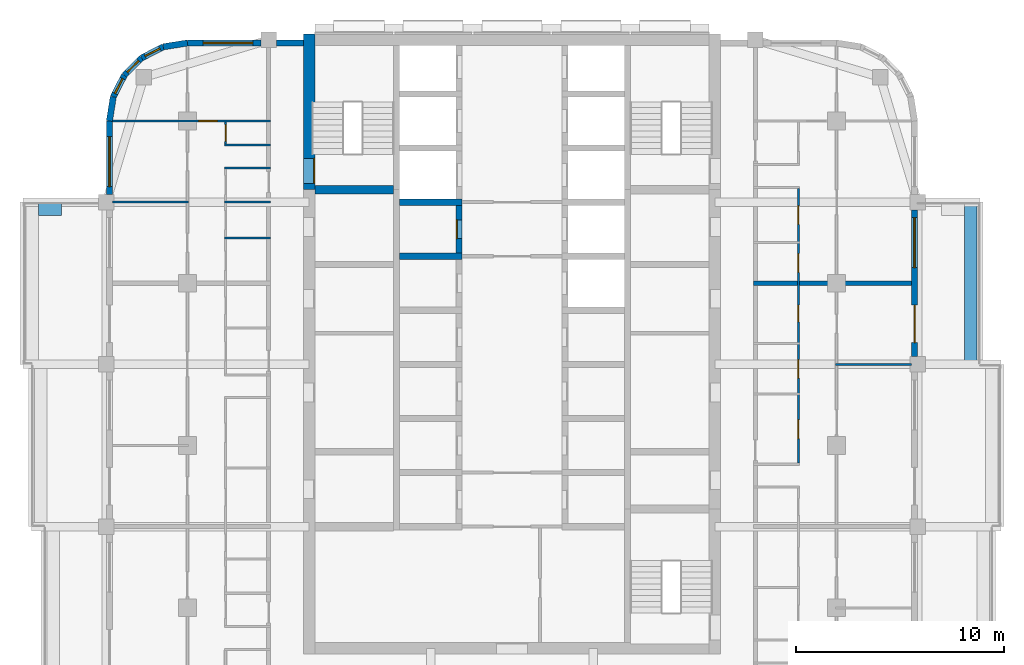
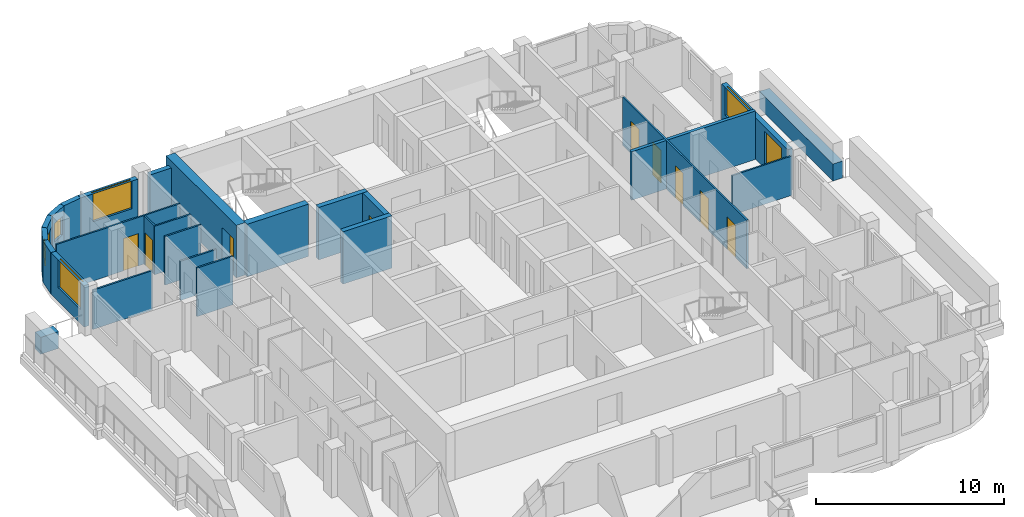
# One storey, part 7 of 13: 26 walls, 10 doors, 6 windows, 16 openings.
"""IFC4 building model written with IfcOpenShell, lengths in metres."""

from ifc_helpers import new_model, si_unit, direction, frame, frame_2d, origin, place, context, subcontext, project, spatial, rectangle, extrude, material, layer, layer_set, type_object, element, fill, save


model = new_model("IFC4")

# Units and contexts
model_context = context("Model", 3, precision=1e-05, world=origin(), true_north=direction((0.0, 1.0)))
body_context = subcontext(model_context, "Body", "Model", "MODEL_VIEW")
ifc_project = project(units=[si_unit("LENGTHUNIT", "METRE"), si_unit("AREAUNIT", "SQUARE_METRE"), si_unit("VOLUMEUNIT", "CUBIC_METRE"), si_unit("PLANEANGLEUNIT", "RADIAN"), si_unit("MASSUNIT", "GRAM", prefix="KILO")], contexts=[model_context])

# Site, building, storey
site_placement = place(None, origin())
site = spatial("IfcSite", under=ifc_project, at=site_placement, CompositionType="ELEMENT")
building_placement = place(site_placement, origin())
building = spatial("IfcBuilding", under=site, at=building_placement, Name="Ludao Terraces", CompositionType="ELEMENT")
storey_placement = place(building_placement, frame((0.0, 0.0, 158.800048828125)))
storey = spatial("IfcBuildingStorey", under=building, at=storey_placement, Name="L43", CompositionType="ELEMENT", Elevation=158.800048828125)

# Wall, opening, door
ifc_material_1 = material(Name="Concrete C60", Category="concrete")
ifc_layer_1 = layer(ifc_material_1, 0.550048828125)
ifc_layer_set_1 = layer_set([ifc_layer_1], Name="Core wall 550 C60")
wall_type_1 = type_object("IfcWallType", Name="Core wall 550 C60", PredefinedType="SOLIDWALL", material=ifc_layer_set_1)
wall_1_placement = place(storey_placement, frame((75.25, 77.300048828125, -0.25), z_axis=(0.0, 0.0, 1.0), x_axis=(0.0, 1.0, 0.0)))
wall_1 = element("IfcWall", 1, at=wall_1_placement, inside=storey, type_object=wall_type_1, Name="Core wall L43 outer-W-S1", PredefinedType="SOLIDWALL", context=body_context, shape_type="SweptSolid", body=[
    extrude(rectangle(XDim=7.474853515625, YDim=0.550048828125, at=frame_2d((3.7373046875, 0.0))), origin(), (0.0, 0.0, 1.0), 3.39990234375),
])
opening_1_placement = place(wall_1_placement, frame((0.300048828125, 0.0, 0.25)))
opening_1 = element("IfcOpeningElement", 2, at=opening_1_placement, cuts=wall_1, Name="Opening R15-075", PredefinedType="OPENING", context=body_context, shape_type="SweptSolid", body=[
    extrude(rectangle(XDim=1.199951171875, YDim=2.10009765625, at=frame_2d((0.60009765625, 1.050048828125))), frame((0.0, 0.28515625, 0.0), z_axis=(0.0, -1.0, 0.0), x_axis=(1.0, 0.0, 0.0)), (0.0, 0.0, 1.0), 0.570068359375),
])
ifc_material_2 = material(Name="Steel Q235", Category="steel")
door_type_1 = type_object("IfcDoorType", Name="INT Stair door 1200", OperationType="DOUBLE_DOOR_SINGLE_SWING", PredefinedType="DOOR", material=ifc_material_2)
door_1_placement = place(opening_1_placement, origin())
door_1 = element("IfcDoor", 3, at=door_1_placement, inside=storey, type_object=door_type_1, Name="DOOR 075", OperationType="DOUBLE_DOOR_SINGLE_SWING", OverallHeight=2.10009765625, OverallWidth=1.199951171875, PredefinedType="DOOR", context=body_context, shape_type="SweptSolid", body=[
    extrude(rectangle(XDim=1.199951171875, YDim=2.10009765625, at=frame_2d((0.60009765625, 1.050048828125))), frame((0.0, -0.2099609375, 0.0), z_axis=(0.0, -1.0, 0.0), x_axis=(1.0, 0.0, 0.0)), (0.0, 0.0, 1.0), 0.050048828125),
])
fill(opening_1, door_1)

# Walls
ifc_material_3 = material(Name="Concrete C40", Category="concrete")
ifc_layer_2 = layer(ifc_material_3, 0.60009765625)
ifc_layer_set_2 = layer_set([ifc_layer_2], Name="ENV Planter trough 600")
wall_type_2 = type_object("IfcWallType", Name="ENV Planter trough 600", PredefinedType="USERDEFINED", material=ifc_layer_set_2)
wall_2_placement = place(storey_placement, frame((107.050048828125, 68.89990234375, 0.0), z_axis=(0.0, 0.0, 1.0), x_axis=(0.0, 1.0, 0.0)))
element("IfcWall", 4, at=wall_2_placement, inside=storey, type_object=wall_type_2, Name="PL-L43-E3", ObjectType="PLANTER", PredefinedType="USERDEFINED", context=body_context, shape_type="SweptSolid", body=[
    extrude(rectangle(XDim=7.800048828125, YDim=0.60009765625, at=frame_2d((3.89990234375, 0.0))), origin(), (0.0, 0.0, 1.0), 1.099853515625),
])
wall_3_placement = place(storey_placement, frame((62.25, 76.35009765625, 0.0), z_axis=(0.0, 0.0, 1.0), x_axis=(1.0, 0.0, 0.0)))
element("IfcWall", 5, at=wall_3_placement, inside=storey, type_object=wall_type_2, Name="PL-L43-W3-SB", ObjectType="PLANTER", PredefinedType="USERDEFINED", context=body_context, shape_type="SweptSolid", body=[
    extrude(rectangle(XDim=1.10009765625, YDim=0.60009765625, at=frame_2d((0.550048828125, 0.0))), origin(), (0.0, 0.0, 1.0), 1.099853515625),
])

# Wall, openings, door, window
ifc_material_4 = material(Name="Granite cladding", Category="masonry")
ifc_layer_3 = layer(ifc_material_4, 0.0400390625, Category="stone")
ifc_material_5 = material(Name="Mineral wool")
ifc_layer_4 = layer(ifc_material_5, 0.06005859375)
ifc_layer_5 = layer(ifc_material_3, 0.199951171875, Category="concrete")
ifc_layer_set_3 = layer_set([ifc_layer_3, ifc_layer_4, ifc_layer_5], Name="ENV Stone-clad wall 300")
wall_type_3 = type_object("IfcWallType", Name="ENV Stone-clad wall 300", PredefinedType="SOLIDWALL", material=ifc_layer_set_3)
wall_4_placement = place(storey_placement, frame((104.35009765625, 69.27490234375, 0.0), z_axis=(0.0, 0.0, 1.0), x_axis=(0.0, 1.0, 0.0)))
wall_4 = element("IfcWall", 6, at=wall_4_placement, inside=storey, type_object=wall_type_3, Name="EW-L43-E4", PredefinedType="SOLIDWALL", context=body_context, shape_type="SweptSolid", body=[
    extrude(rectangle(XDim=7.050048828125, YDim=0.300048828125, at=frame_2d((3.52490234375, 0.0))), origin(), (0.0, 0.0, 1.0), 2.699951171875),
])
opening_2_placement = place(wall_4_placement, frame((0.675048828125, 0.0, 0.0)))
opening_2 = element("IfcOpeningElement", 7, at=opening_2_placement, cuts=wall_4, Name="Opening BD", PredefinedType="OPENING", context=body_context, shape_type="SweptSolid", body=[
    extrude(rectangle(XDim=1.800048828125, YDim=2.39990234375, at=frame_2d((0.89990234375, 1.199951171875))), frame((0.0, 0.16015625, 0.0), z_axis=(0.0, -1.0, 0.0), x_axis=(1.0, 0.0, 0.0)), (0.0, 0.0, 1.0), 0.320068359375),
])
opening_3_placement = place(wall_4_placement, frame((4.27490234375, 0.0, 0.89990234375)))
opening_3 = element("IfcOpeningElement", 8, at=opening_3_placement, cuts=wall_4, Name="Opening W1", PredefinedType="OPENING", context=body_context, shape_type="SweptSolid", body=[
    extrude(rectangle(XDim=2.39990234375, YDim=1.800048828125, at=frame_2d((1.199951171875, 0.89990234375))), frame((0.0, 0.16015625, 0.0), z_axis=(0.0, -1.0, 0.0), x_axis=(1.0, 0.0, 0.0)), (0.0, 0.0, 1.0), 0.320068359375),
])
ifc_material_6 = material(Name="Aluminium glazed door", Category="aluminium")
ifc_layer_6 = layer(ifc_material_6, 0.06005859375)
ifc_layer_set_4 = layer_set([ifc_layer_6], Name="ENV Balcony door BD 1800x2400")
door_type_2 = type_object("IfcDoorType", Name="ENV Balcony door BD 1800x2400", OperationType="DOUBLE_DOOR_SINGLE_SWING", PredefinedType="DOOR", material=ifc_layer_set_4)
door_2_placement = place(opening_2_placement, origin())
door_2 = element("IfcDoor", 9, at=door_2_placement, inside=storey, type_object=door_type_2, Name="BD-L43-E4-1", OperationType="DOUBLE_DOOR_SINGLE_SWING", OverallHeight=2.39990234375, OverallWidth=1.800048828125, PredefinedType="DOOR", context=body_context, shape_type="SweptSolid", body=[
    extrude(rectangle(XDim=1.800048828125, YDim=2.39990234375, at=frame_2d((0.89990234375, 1.199951171875))), frame((0.0, 0.02490234375, 0.0), z_axis=(0.0, -1.0, 0.0), x_axis=(1.0, 0.0, 0.0)), (0.0, 0.0, 1.0), 0.050048828125),
])
fill(opening_2, door_2)
ifc_material_7 = material(Name="Clear glass in aluminium frame", Category="aluminium")
ifc_layer_7 = layer(ifc_material_7, 0.06005859375)
ifc_layer_set_5 = layer_set([ifc_layer_7], Name="ENV Window W1 2400x1800")
window_type_1 = type_object("IfcWindowType", Name="ENV Window W1 2400x1800", PartitioningType="DOUBLE_PANEL_VERTICAL", PredefinedType="WINDOW", material=ifc_layer_set_5)
window_1_placement = place(opening_3_placement, origin())
window_1 = element("IfcWindow", 10, at=window_1_placement, inside=storey, type_object=window_type_1, Name="W-L43-E4-2", OverallHeight=1.800048828125, OverallWidth=2.39990234375, PartitioningType="DOUBLE_PANEL_VERTICAL", PredefinedType="WINDOW", context=body_context, shape_type="SweptSolid", body=[
    extrude(rectangle(XDim=2.39990234375, YDim=1.800048828125, at=frame_2d((1.199951171875, 0.89990234375))), frame((0.0, 0.030029296875, 0.0), z_axis=(0.0, -1.0, 0.0), x_axis=(1.0, 0.0, 0.0)), (0.0, 0.0, 1.0), 0.06005859375),
])
fill(opening_3, window_1)

# Wall, opening, window
wall_5_placement = place(storey_placement, frame((69.39990234375, 84.35009765625, 0.0), z_axis=(0.0, 0.0, 1.0), x_axis=(1.0, 0.0, 0.0)))
wall_5 = element("IfcWall", 11, at=wall_5_placement, inside=storey, type_object=wall_type_3, Name="EW-L43-N1", PredefinedType="SOLIDWALL", context=body_context, shape_type="SweptSolid", body=[
    extrude(rectangle(XDim=3.525146484375, YDim=0.300048828125, at=frame_2d((1.7626953125, 0.0))), origin(), (0.0, 0.0, 1.0), 2.699951171875),
])
opening_4_placement = place(wall_5_placement, frame((0.75, 0.0, 0.89990234375)))
opening_4 = element("IfcOpeningElement", 12, at=opening_4_placement, cuts=wall_5, Name="Opening W1", PredefinedType="OPENING", context=body_context, shape_type="SweptSolid", body=[
    extrude(rectangle(XDim=2.39990234375, YDim=1.800048828125, at=frame_2d((1.199951171875, 0.89990234375))), frame((0.0, 0.16015625, 0.0), z_axis=(0.0, -1.0, 0.0), x_axis=(1.0, 0.0, 0.0)), (0.0, 0.0, 1.0), 0.320068359375),
])
window_2_placement = place(opening_4_placement, origin())
window_2 = element("IfcWindow", 13, at=window_2_placement, inside=storey, type_object=window_type_1, Name="W-L43-N1-1", OverallHeight=1.800048828125, OverallWidth=2.39990234375, PartitioningType="DOUBLE_PANEL_VERTICAL", PredefinedType="WINDOW", context=body_context, shape_type="SweptSolid", body=[
    extrude(rectangle(XDim=2.39990234375, YDim=1.800048828125, at=frame_2d((1.199951171875, 0.89990234375))), frame((0.0, 0.030029296875, 0.0), z_axis=(0.0, -1.0, 0.0), x_axis=(1.0, 0.0, 0.0)), (0.0, 0.0, 1.0), 0.06005859375),
])
fill(opening_4, window_2)

# Wall
wall_6_placement = place(storey_placement, frame((73.675048828125, 84.35009765625, 0.0), z_axis=(0.0, 0.0, 1.0), x_axis=(1.0, 0.0, 0.0)))
element("IfcWall", 14, at=wall_6_placement, inside=storey, type_object=wall_type_3, Name="EW-L43-N2", PredefinedType="SOLIDWALL", context=body_context, shape_type="SweptSolid", body=[
    extrude(rectangle(XDim=1.300048828125, YDim=0.300048828125, at=frame_2d((0.64990234375, 0.0))), origin(), (0.0, 0.0, 1.0), 2.699951171875),
])

# Wall, opening, window
wall_7_placement = place(storey_placement, frame((65.64990234375, 77.074951171875, 0.0), z_axis=(0.0, 0.0, 1.0), x_axis=(0.0, 1.0, 0.0)))
wall_7 = element("IfcWall", 15, at=wall_7_placement, inside=storey, type_object=wall_type_3, Name="EW-L43-W5", PredefinedType="SOLIDWALL", context=body_context, shape_type="SweptSolid", body=[
    extrude(rectangle(XDim=3.525146484375, YDim=0.300048828125, at=frame_2d((1.7626953125, 0.0))), origin(), (0.0, 0.0, 1.0), 2.699951171875),
])
opening_5_placement = place(wall_7_placement, frame((0.375, 0.0, 0.89990234375)))
opening_5 = element("IfcOpeningElement", 16, at=opening_5_placement, cuts=wall_7, Name="Opening W1", PredefinedType="OPENING", context=body_context, shape_type="SweptSolid", body=[
    extrude(rectangle(XDim=2.39990234375, YDim=1.800048828125, at=frame_2d((1.199951171875, 0.89990234375))), frame((0.0, 0.16015625, 0.0), z_axis=(0.0, -1.0, 0.0), x_axis=(1.0, 0.0, 0.0)), (0.0, 0.0, 1.0), 0.320068359375),
])
window_3_placement = place(opening_5_placement, origin())
window_3 = element("IfcWindow", 17, at=window_3_placement, inside=storey, type_object=window_type_1, Name="W-L43-W5-1", OverallHeight=1.800048828125, OverallWidth=2.39990234375, PartitioningType="DOUBLE_PANEL_VERTICAL", PredefinedType="WINDOW", context=body_context, shape_type="SweptSolid", body=[
    extrude(rectangle(XDim=2.39990234375, YDim=1.800048828125, at=frame_2d((1.199951171875, 0.89990234375))), frame((0.0, 0.030029296875, 0.0), z_axis=(0.0, -1.0, 0.0), x_axis=(1.0, 0.0, 0.0)), (0.0, 0.0, 1.0), 0.06005859375),
])
fill(opening_5, window_3)

# Wall
wall_8_placement = place(storey_placement, frame((69.39990234375, 84.35009765625, 0.0), z_axis=(0.0, 0.0, 1.0), x_axis=(-0.987678452879, -0.156496880861, 0.0)))
element("IfcWall", 18, at=wall_8_placement, inside=storey, type_object=wall_type_3, Name="EW-L43-NW1", PredefinedType="SOLIDWALL", context=body_context, shape_type="SweptSolid", body=[
    extrude(rectangle(XDim=1.173095703125, YDim=0.300048828125, at=frame_2d((0.58642578125, 0.0))), origin(), (0.0, 0.0, 1.0), 2.699951171875),
])

# Wall, opening, window
wall_9_placement = place(storey_placement, frame((68.2412109375, 84.16650390625, 0.0), z_axis=(0.0, 0.0, 1.0), x_axis=(-0.890988677504, -0.454025524128, 0.0)))
wall_9 = element("IfcWall", 19, at=wall_9_placement, inside=storey, type_object=wall_type_3, Name="EW-L43-NW2", PredefinedType="SOLIDWALL", context=body_context, shape_type="SweptSolid", body=[
    extrude(rectangle(XDim=1.17333984375, YDim=0.300048828125, at=frame_2d((0.586669921875, 0.0))), origin(), (0.0, 0.0, 1.0), 2.699951171875),
])
opening_6_placement = place(wall_9_placement, frame((0.1865234375, 0.0, 0.89990234375)))
opening_6 = element("IfcOpeningElement", 20, at=opening_6_placement, cuts=wall_9, Name="Opening W3", PredefinedType="OPENING", context=body_context, shape_type="SweptSolid", body=[
    extrude(rectangle(XDim=0.800048828125, YDim=1.199951171875, at=frame_2d((0.39990234375, 0.60009765625))), frame((0.0, 0.16015625, 0.0), z_axis=(0.0, -1.0, 0.0), x_axis=(1.0, 0.0, 0.0)), (0.0, 0.0, 1.0), 0.320068359375),
])
ifc_layer_8 = layer(ifc_material_7, 0.06005859375)
ifc_layer_set_6 = layer_set([ifc_layer_8], Name="ENV Window W3 800x1200")
window_type_2 = type_object("IfcWindowType", Name="ENV Window W3 800x1200", PartitioningType="SINGLE_PANEL", PredefinedType="WINDOW", material=ifc_layer_set_6)
window_4_placement = place(opening_6_placement, origin())
window_4 = element("IfcWindow", 21, at=window_4_placement, inside=storey, type_object=window_type_2, Name="W-L43-NW2", OverallHeight=1.199951171875, OverallWidth=0.800048828125, PartitioningType="SINGLE_PANEL", PredefinedType="WINDOW", context=body_context, shape_type="SweptSolid", body=[
    extrude(rectangle(XDim=0.800048828125, YDim=1.199951171875, at=frame_2d((0.39990234375, 0.60009765625))), frame((0.0, 0.030029296875, 0.0), z_axis=(0.0, -1.0, 0.0), x_axis=(1.0, 0.0, 0.0)), (0.0, 0.0, 1.0), 0.06005859375),
])
fill(opening_6, window_4)

wall_10_placement = place(storey_placement, frame((67.19580078125, 83.6337890625, 0.0), z_axis=(0.0, 0.0, 1.0), x_axis=(-0.707106781187, -0.707106781187, 0.0)))
wall_10 = element("IfcWall", 22, at=wall_10_placement, inside=storey, type_object=wall_type_3, Name="EW-L43-NW3", PredefinedType="SOLIDWALL", context=body_context, shape_type="SweptSolid", body=[
    extrude(rectangle(XDim=1.173095703125, YDim=0.300048828125, at=frame_2d((0.58642578125, 0.0))), origin(), (0.0, 0.0, 1.0), 2.699951171875),
])
opening_7_placement = place(wall_10_placement, frame((0.1865234375, 0.0, 0.89990234375)))
opening_7 = element("IfcOpeningElement", 23, at=opening_7_placement, cuts=wall_10, Name="Opening W3", PredefinedType="OPENING", context=body_context, shape_type="SweptSolid", body=[
    extrude(rectangle(XDim=0.800048828125, YDim=1.199951171875, at=frame_2d((0.39990234375, 0.60009765625))), frame((0.0, 0.16015625, 0.0), z_axis=(0.0, -1.0, 0.0), x_axis=(1.0, 0.0, 0.0)), (0.0, 0.0, 1.0), 0.320068359375),
])
window_5_placement = place(opening_7_placement, origin())
window_5 = element("IfcWindow", 24, at=window_5_placement, inside=storey, type_object=window_type_2, Name="W-L43-NW3", OverallHeight=1.199951171875, OverallWidth=0.800048828125, PartitioningType="SINGLE_PANEL", PredefinedType="WINDOW", context=body_context, shape_type="SweptSolid", body=[
    extrude(rectangle(XDim=0.800048828125, YDim=1.199951171875, at=frame_2d((0.39990234375, 0.60009765625))), frame((0.0, 0.030029296875, 0.0), z_axis=(0.0, -1.0, 0.0), x_axis=(1.0, 0.0, 0.0)), (0.0, 0.0, 1.0), 0.06005859375),
])
fill(opening_7, window_5)

wall_11_placement = place(storey_placement, frame((66.3662109375, 82.80419921875, 0.0), z_axis=(0.0, 0.0, 1.0), x_axis=(-0.454025524128, -0.890988677504, 0.0)))
wall_11 = element("IfcWall", 25, at=wall_11_placement, inside=storey, type_object=wall_type_3, Name="EW-L43-NW4", PredefinedType="SOLIDWALL", context=body_context, shape_type="SweptSolid", body=[
    extrude(rectangle(XDim=1.17333984375, YDim=0.300048828125, at=frame_2d((0.586669921875, 0.0))), origin(), (0.0, 0.0, 1.0), 2.699951171875),
])
opening_8_placement = place(wall_11_placement, frame((0.1865234375, 0.0, 0.89990234375)))
opening_8 = element("IfcOpeningElement", 26, at=opening_8_placement, cuts=wall_11, Name="Opening W3", PredefinedType="OPENING", context=body_context, shape_type="SweptSolid", body=[
    extrude(rectangle(XDim=0.800048828125, YDim=1.199951171875, at=frame_2d((0.39990234375, 0.60009765625))), frame((0.0, 0.16015625, 0.0), z_axis=(0.0, -1.0, 0.0), x_axis=(1.0, 0.0, 0.0)), (0.0, 0.0, 1.0), 0.320068359375),
])
window_6_placement = place(opening_8_placement, origin())
window_6 = element("IfcWindow", 27, at=window_6_placement, inside=storey, type_object=window_type_2, Name="W-L43-NW4", OverallHeight=1.199951171875, OverallWidth=0.800048828125, PartitioningType="SINGLE_PANEL", PredefinedType="WINDOW", context=body_context, shape_type="SweptSolid", body=[
    extrude(rectangle(XDim=0.800048828125, YDim=1.199951171875, at=frame_2d((0.39990234375, 0.60009765625))), frame((0.0, 0.030029296875, 0.0), z_axis=(0.0, -1.0, 0.0), x_axis=(1.0, 0.0, 0.0)), (0.0, 0.0, 1.0), 0.06005859375),
])
fill(opening_8, window_6)

# Walls
wall_12_placement = place(storey_placement, frame((65.83349609375, 81.7587890625, 0.0), z_axis=(0.0, 0.0, 1.0), x_axis=(-0.156496880861, -0.987678452879, 0.0)))
element("IfcWall", 28, at=wall_12_placement, inside=storey, type_object=wall_type_3, Name="EW-L43-NW5", PredefinedType="SOLIDWALL", context=body_context, shape_type="SweptSolid", body=[
    extrude(rectangle(XDim=1.173095703125, YDim=0.300048828125, at=frame_2d((0.58642578125, 0.0))), origin(), (0.0, 0.0, 1.0), 2.699951171875),
])
ifc_material_8 = material(Name="Gypsum plasterboard", Category="gypsum")
ifc_layer_9 = layer(ifc_material_8, 0.012451171875, Category="gypsum")
ifc_layer_10 = layer(ifc_material_5, 0.06005859375, Name="insulation")
ifc_layer_11 = layer(ifc_material_2, 0.014892578125, Name="stud")
ifc_layer_12 = layer(ifc_material_8, 0.012451171875, Category="gypsum")
ifc_layer_set_7 = layer_set([ifc_layer_9, ifc_layer_10, ifc_layer_11, ifc_layer_12], Name="INT Partition 100")
wall_type_4 = type_object("IfcWallType", Name="INT Partition 100", PredefinedType="PARTITIONING", material=ifc_layer_set_7)
wall_13_placement = place(storey_placement, frame((100.550048828125, 68.89990234375, 0.0), z_axis=(0.0, 0.0, 1.0), x_axis=(1.0, 0.0, 0.0)))
element("IfcWall", 29, at=wall_13_placement, inside=storey, type_object=wall_type_4, Name="PW-L43-PW027", PredefinedType="PARTITIONING", context=body_context, shape_type="SweptSolid", body=[
    extrude(rectangle(XDim=3.650146484375, YDim=0.10009765625, at=frame_2d((1.8251953125, 0.0))), origin(), (0.0, 0.0, 1.0), 2.5498046875),
])
wall_14_placement = place(storey_placement, frame((71.18017578125, 74.969970703125, 0.0), z_axis=(0.0, 0.0, 1.0), x_axis=(1.0, 0.0, 0.0)))
element("IfcWall", 30, at=wall_14_placement, inside=storey, type_object=wall_type_4, Name="PW-L43-PW036", PredefinedType="PARTITIONING", context=body_context, shape_type="SweptSolid", body=[
    extrude(rectangle(XDim=2.219970703125, YDim=0.10009765625, at=frame_2d((1.10986328125, 0.0))), origin(), (0.0, 0.0, 1.0), 3.14990234375),
])
wall_15_placement = place(storey_placement, frame((65.800048828125, 76.699951171875, 0.0), z_axis=(0.0, 0.0, 1.0), x_axis=(1.0, 0.0, 0.0)))
element("IfcWall", 31, at=wall_15_placement, inside=storey, type_object=wall_type_4, Name="PW-L43-PW037", PredefinedType="PARTITIONING", context=body_context, shape_type="SweptSolid", body=[
    extrude(rectangle(XDim=3.650146484375, YDim=0.10009765625, at=frame_2d((1.8251953125, 0.0))), origin(), (0.0, 0.0, 1.0), 2.5498046875),
])
wall_16_placement = place(storey_placement, frame((71.18017578125, 76.699951171875, 0.0), z_axis=(0.0, 0.0, 1.0), x_axis=(1.0, 0.0, 0.0)))
element("IfcWall", 32, at=wall_16_placement, inside=storey, type_object=wall_type_4, Name="PW-L43-PW038", PredefinedType="PARTITIONING", context=body_context, shape_type="SweptSolid", body=[
    extrude(rectangle(XDim=2.219970703125, YDim=0.10009765625, at=frame_2d((1.10986328125, 0.0))), origin(), (0.0, 0.0, 1.0), 2.5498046875),
])
for number, where, z_axis, x_axis, name in (
    (33, (71.18017578125, 78.35009765625, 0.0), (0.0, 0.0, 1.0), (1.0, 0.0, 0.0), "PW-L43-PW041"),
    (34, (71.18017578125, 79.449951171875, 0.0), (0.0, 0.0, 1.0), (1.0, 0.0, 0.0), "PW-L43-PW043"),
):
    element("IfcWall", number, at=place(storey_placement, frame(where, z_axis=z_axis, x_axis=x_axis)), inside=storey, type_object=wall_type_4, Name=name, PredefinedType="PARTITIONING", context=body_context, shape_type="SweptSolid", body=[
        extrude(rectangle(XDim=2.219970703125, YDim=0.10009765625, at=frame_2d((1.10986328125, 0.0))), origin(), (0.0, 0.0, 1.0), 3.14990234375),
    ])

# Wall, opening, door
wall_17_placement = place(storey_placement, frame((65.800048828125, 80.60009765625, 0.0), z_axis=(0.0, 0.0, 1.0), x_axis=(1.0, 0.0, 0.0)))
wall_17 = element("IfcWall", 35, at=wall_17_placement, inside=storey, type_object=wall_type_4, Name="PW-L43-PW044", PredefinedType="PARTITIONING", context=body_context, shape_type="SweptSolid", body=[
    extrude(rectangle(XDim=7.60009765625, YDim=0.10009765625, at=frame_2d((3.800048828125, 0.0))), origin(), (0.0, 0.0, 1.0), 3.14990234375),
])
opening_9_placement = place(wall_17_placement, frame((4.139892578125, 0.0, 0.0)))
opening_9 = element("IfcOpeningElement", 36, at=opening_9_placement, cuts=wall_17, Name="Opening R15-081", PredefinedType="OPENING", context=body_context, shape_type="SweptSolid", body=[
    extrude(rectangle(XDim=0.89990234375, YDim=2.10009765625, at=frame_2d((0.449951171875, 1.050048828125))), frame((0.0, 0.06005859375, 0.0), z_axis=(0.0, -1.0, 0.0), x_axis=(1.0, 0.0, 0.0)), (0.0, 0.0, 1.0), 0.1201171875),
])
ifc_material_9 = material(Name="Timber door leaf", Category="wood")
door_type_3 = type_object("IfcDoorType", Name="INT Room door 900", OperationType="SINGLE_SWING_LEFT", PredefinedType="DOOR", material=ifc_material_9)
door_3_placement = place(opening_9_placement, origin())
door_3 = element("IfcDoor", 37, at=door_3_placement, inside=storey, type_object=door_type_3, Name="DOOR 081", OperationType="SINGLE_SWING_LEFT", OverallHeight=2.10009765625, OverallWidth=0.89990234375, PredefinedType="DOOR", context=body_context, shape_type="SweptSolid", body=[
    extrude(rectangle(XDim=0.89990234375, YDim=2.10009765625, at=frame_2d((0.449951171875, 1.050048828125))), frame((0.0, 0.02490234375, 0.0), z_axis=(0.0, -1.0, 0.0), x_axis=(1.0, 0.0, 0.0)), (0.0, 0.0, 1.0), 0.050048828125),
])
fill(opening_9, door_3)

wall_18_placement = place(storey_placement, frame((71.22998046875, 79.5, 0.0), z_axis=(0.0, 0.0, 1.0), x_axis=(0.0, 1.0, 0.0)))
wall_18 = element("IfcWall", 38, at=wall_18_placement, inside=storey, type_object=wall_type_4, Name="PW-L43-PW050", PredefinedType="PARTITIONING", context=body_context, shape_type="SweptSolid", body=[
    extrude(rectangle(XDim=1.050048828125, YDim=0.10009765625, at=frame_2d((0.52490234375, 0.0))), origin(), (0.0, 0.0, 1.0), 3.14990234375),
])
opening_10_placement = place(wall_18_placement, frame((0.125, 0.0, 0.0)))
opening_10 = element("IfcOpeningElement", 39, at=opening_10_placement, cuts=wall_18, Name="Opening R15-080", PredefinedType="OPENING", context=body_context, shape_type="SweptSolid", body=[
    extrude(rectangle(XDim=0.800048828125, YDim=2.10009765625, at=frame_2d((0.39990234375, 1.050048828125))), frame((0.0, 0.06005859375, 0.0), z_axis=(0.0, -1.0, 0.0), x_axis=(1.0, 0.0, 0.0)), (0.0, 0.0, 1.0), 0.1201171875),
])
door_type_4 = type_object("IfcDoorType", Name="INT Store door 800", OperationType="SINGLE_SWING_LEFT", PredefinedType="DOOR", material=ifc_material_9)
door_4_placement = place(opening_10_placement, origin())
door_4 = element("IfcDoor", 40, at=door_4_placement, inside=storey, type_object=door_type_4, Name="DOOR 080", OperationType="SINGLE_SWING_LEFT", OverallHeight=2.10009765625, OverallWidth=0.800048828125, PredefinedType="DOOR", context=body_context, shape_type="SweptSolid", body=[
    extrude(rectangle(XDim=0.800048828125, YDim=2.10009765625, at=frame_2d((0.39990234375, 1.050048828125))), frame((0.0, 0.02490234375, 0.0), z_axis=(0.0, -1.0, 0.0), x_axis=(1.0, 0.0, 0.0)), (0.0, 0.0, 1.0), 0.050048828125),
])
fill(opening_10, door_4)

# Wall, openings, doors
wall_19_placement = place(storey_placement, frame((98.77001953125, 64.150146484375, 0.0), z_axis=(0.0, 0.0, 1.0), x_axis=(0.0, 1.0, 0.0)))
wall_19 = element("IfcWall", 41, at=wall_19_placement, inside=storey, type_object=wall_type_4, Name="PW-L43-PW059", PredefinedType="PARTITIONING", context=body_context, shape_type="SweptSolid", body=[
    extrude(rectangle(XDim=13.199951171875, YDim=0.10009765625, at=frame_2d((6.60009765625, 0.0))), origin(), (0.0, 0.0, 1.0), 3.14990234375),
])
opening_11_placement = place(wall_19_placement, frame((1.18505859375, 0.0, 0.0)))
opening_11 = element("IfcOpeningElement", 42, at=opening_11_placement, cuts=wall_19, Name="Opening R15-040", PredefinedType="OPENING", context=body_context, shape_type="SweptSolid", body=[
    extrude(rectangle(XDim=0.89990234375, YDim=2.10009765625, at=frame_2d((0.449951171875, 1.050048828125))), frame((0.0, 0.06005859375, 0.0), z_axis=(0.0, -1.0, 0.0), x_axis=(1.0, 0.0, 0.0)), (0.0, 0.0, 1.0), 0.1201171875),
])
opening_12_placement = place(wall_19_placement, frame((4.0849609375, 0.0, 0.0)))
opening_12 = element("IfcOpeningElement", 43, at=opening_12_placement, cuts=wall_19, Name="Opening R15-046", PredefinedType="OPENING", context=body_context, shape_type="SweptSolid", body=[
    extrude(rectangle(XDim=0.89990234375, YDim=2.10009765625, at=frame_2d((0.449951171875, 1.050048828125))), frame((0.0, 0.06005859375, 0.0), z_axis=(0.0, -1.0, 0.0), x_axis=(1.0, 0.0, 0.0)), (0.0, 0.0, 1.0), 0.1201171875),
])
opening_13_placement = place(wall_19_placement, frame((6.800048828125, 0.0, 0.0)))
opening_13 = element("IfcOpeningElement", 44, at=opening_13_placement, cuts=wall_19, Name="Opening R15-053", PredefinedType="OPENING", context=body_context, shape_type="SweptSolid", body=[
    extrude(rectangle(XDim=0.800048828125, YDim=2.10009765625, at=frame_2d((0.39990234375, 1.050048828125))), frame((0.0, 0.06005859375, 0.0), z_axis=(0.0, -1.0, 0.0), x_axis=(1.0, 0.0, 0.0)), (0.0, 0.0, 1.0), 0.1201171875),
])
opening_14_placement = place(wall_19_placement, frame((9.175048828125, 0.0, 0.0)))
opening_14 = element("IfcOpeningElement", 45, at=opening_14_placement, cuts=wall_19, Name="Opening R15-059", PredefinedType="OPENING", context=body_context, shape_type="SweptSolid", body=[
    extrude(rectangle(XDim=0.89990234375, YDim=2.10009765625, at=frame_2d((0.449951171875, 1.050048828125))), frame((0.0, 0.06005859375, 0.0), z_axis=(0.0, -1.0, 0.0), x_axis=(1.0, 0.0, 0.0)), (0.0, 0.0, 1.0), 0.1201171875),
])
opening_15_placement = place(wall_19_placement, frame((11.47509765625, 0.0, 0.0)))
opening_15 = element("IfcOpeningElement", 46, at=opening_15_placement, cuts=wall_19, Name="Opening R15-068", PredefinedType="OPENING", context=body_context, shape_type="SweptSolid", body=[
    extrude(rectangle(XDim=0.89990234375, YDim=2.10009765625, at=frame_2d((0.449951171875, 1.050048828125))), frame((0.0, 0.06005859375, 0.0), z_axis=(0.0, -1.0, 0.0), x_axis=(1.0, 0.0, 0.0)), (0.0, 0.0, 1.0), 0.1201171875),
])
door_type_5 = type_object("IfcDoorType", Name="INT Bathroom door 900", OperationType="SINGLE_SWING_LEFT", PredefinedType="DOOR", material=ifc_material_9)
door_5_placement = place(opening_12_placement, origin())
door_5 = element("IfcDoor", 47, at=door_5_placement, inside=storey, type_object=door_type_5, Name="DOOR 046", OperationType="SINGLE_SWING_RIGHT", OverallHeight=2.10009765625, OverallWidth=0.89990234375, PredefinedType="DOOR", context=body_context, shape_type="SweptSolid", body=[
    extrude(rectangle(XDim=0.89990234375, YDim=2.10009765625, at=frame_2d((0.449951171875, 1.050048828125))), frame((0.0, 0.02490234375, 0.0), z_axis=(0.0, -1.0, 0.0), x_axis=(1.0, 0.0, 0.0)), (0.0, 0.0, 1.0), 0.050048828125),
])
fill(opening_12, door_5)
door_6_placement = place(opening_14_placement, origin())
door_6 = element("IfcDoor", 48, at=door_6_placement, inside=storey, type_object=door_type_5, Name="DOOR 059", OperationType="SINGLE_SWING_LEFT", OverallHeight=2.10009765625, OverallWidth=0.89990234375, PredefinedType="DOOR", context=body_context, shape_type="SweptSolid", body=[
    extrude(rectangle(XDim=0.89990234375, YDim=2.10009765625, at=frame_2d((0.449951171875, 1.050048828125))), frame((0.0, 0.02490234375, 0.0), z_axis=(0.0, -1.0, 0.0), x_axis=(1.0, 0.0, 0.0)), (0.0, 0.0, 1.0), 0.050048828125),
])
fill(opening_14, door_6)
door_7_placement = place(opening_11_placement, origin())
door_7 = element("IfcDoor", 49, at=door_7_placement, inside=storey, type_object=door_type_3, Name="DOOR 040", OperationType="SINGLE_SWING_LEFT", OverallHeight=2.10009765625, OverallWidth=0.89990234375, PredefinedType="DOOR", context=body_context, shape_type="SweptSolid", body=[
    extrude(rectangle(XDim=0.89990234375, YDim=2.10009765625, at=frame_2d((0.449951171875, 1.050048828125))), frame((0.0, 0.02490234375, 0.0), z_axis=(0.0, -1.0, 0.0), x_axis=(1.0, 0.0, 0.0)), (0.0, 0.0, 1.0), 0.050048828125),
])
fill(opening_11, door_7)
door_8_placement = place(opening_15_placement, origin())
door_8 = element("IfcDoor", 50, at=door_8_placement, inside=storey, type_object=door_type_3, Name="DOOR 068", OperationType="SINGLE_SWING_RIGHT", OverallHeight=2.10009765625, OverallWidth=0.89990234375, PredefinedType="DOOR", context=body_context, shape_type="SweptSolid", body=[
    extrude(rectangle(XDim=0.89990234375, YDim=2.10009765625, at=frame_2d((0.449951171875, 1.050048828125))), frame((0.0, 0.02490234375, 0.0), z_axis=(0.0, -1.0, 0.0), x_axis=(1.0, 0.0, 0.0)), (0.0, 0.0, 1.0), 0.050048828125),
])
fill(opening_15, door_8)
door_9_placement = place(opening_13_placement, origin())
door_9 = element("IfcDoor", 51, at=door_9_placement, inside=storey, type_object=door_type_4, Name="DOOR 053", OperationType="SINGLE_SWING_LEFT", OverallHeight=2.10009765625, OverallWidth=0.800048828125, PredefinedType="DOOR", context=body_context, shape_type="SweptSolid", body=[
    extrude(rectangle(XDim=0.800048828125, YDim=2.10009765625, at=frame_2d((0.39990234375, 1.050048828125))), frame((0.0, 0.02490234375, 0.0), z_axis=(0.0, -1.0, 0.0), x_axis=(1.0, 0.0, 0.0)), (0.0, 0.0, 1.0), 0.050048828125),
])
fill(opening_13, door_9)

# Walls
ifc_material_10 = material(Name="Autoclaved aerated concrete block B06 A3.5", Category="concrete")
ifc_layer_13 = layer(ifc_material_10, 0.199951171875)
ifc_layer_set_8 = layer_set([ifc_layer_13], Name="INT Party wall 200")
wall_type_5 = type_object("IfcWallType", Name="INT Party wall 200", PredefinedType="PARTITIONING", material=ifc_layer_set_8)
wall_20_placement = place(storey_placement, frame((96.60009765625, 72.800048828125, 0.0), z_axis=(0.0, 0.0, 1.0), x_axis=(1.0, 0.0, 0.0)))
element("IfcWall", 52, at=wall_20_placement, inside=storey, type_object=wall_type_5, Name="PW-L43-PW033", PredefinedType="PARTITIONING", context=body_context, shape_type="SweptSolid", body=[
    extrude(rectangle(XDim=7.60009765625, YDim=0.199951171875, at=frame_2d((3.800048828125, 0.0))), origin(), (0.0, 0.0, 1.0), 3.14990234375),
])
ifc_material_11 = material(Name="Concrete C55", Category="concrete")
ifc_layer_14 = layer(ifc_material_11, 0.300048828125)
ifc_layer_set_9 = layer_set([ifc_layer_14], Name="Shaft wall 300 C55")
wall_type_6 = type_object("IfcWallType", Name="Shaft wall 300 C55", PredefinedType="SOLIDWALL", material=ifc_layer_set_9)
wall_21_placement = place(storey_placement, frame((79.60009765625, 74.10009765625, -0.25), z_axis=(0.0, 0.0, 1.0), x_axis=(1.0, 0.0, 0.0)))
element("IfcWall", 53, at=wall_21_placement, inside=storey, type_object=wall_type_6, Name="Core wall L43 div-W6", PredefinedType="SOLIDWALL", context=body_context, shape_type="SweptSolid", body=[
    extrude(rectangle(XDim=3.0, YDim=0.300048828125, at=frame_2d((1.5, 0.0))), origin(), (0.0, 0.0, 1.0), 3.39990234375),
])

# Wall, opening, door
wall_22_placement = place(storey_placement, frame((82.449951171875, 74.25, -0.25), z_axis=(0.0, 0.0, 1.0), x_axis=(0.0, 1.0, 0.0)))
wall_22 = element("IfcWall", 54, at=wall_22_placement, inside=storey, type_object=wall_type_6, Name="Core wall L43 front-W6", PredefinedType="SOLIDWALL", context=body_context, shape_type="SweptSolid", body=[
    extrude(rectangle(XDim=2.300048828125, YDim=0.300048828125, at=frame_2d((1.14990234375, 0.0))), origin(), (0.0, 0.0, 1.0), 3.39990234375),
])
opening_16_placement = place(wall_22_placement, frame((0.699951171875, 0.0, 0.25)))
opening_16 = element("IfcOpeningElement", 55, at=opening_16_placement, cuts=wall_22, Name="Opening R15-063", PredefinedType="OPENING", context=body_context, shape_type="SweptSolid", body=[
    extrude(rectangle(XDim=0.89990234375, YDim=2.10009765625, at=frame_2d((0.449951171875, 1.050048828125))), frame((0.0, 0.16015625, 0.0), z_axis=(0.0, -1.0, 0.0), x_axis=(1.0, 0.0, 0.0)), (0.0, 0.0, 1.0), 0.320068359375),
])
door_10_placement = place(opening_16_placement, origin())
door_10 = element("IfcDoor", 56, at=door_10_placement, inside=storey, type_object=door_type_3, Name="DOOR 063", OperationType="SINGLE_SWING_LEFT", OverallHeight=2.10009765625, OverallWidth=0.89990234375, PredefinedType="DOOR", context=body_context, shape_type="SweptSolid", body=[
    extrude(rectangle(XDim=0.89990234375, YDim=2.10009765625, at=frame_2d((0.449951171875, 1.050048828125))), frame((0.0, 0.13525390625, 0.0), z_axis=(0.0, -1.0, 0.0), x_axis=(1.0, 0.0, 0.0)), (0.0, 0.0, 1.0), 0.050048828125),
])
fill(opening_16, door_10)

# Walls
wall_23_placement = place(storey_placement, frame((79.60009765625, 76.699951171875, -0.25), z_axis=(0.0, 0.0, 1.0), x_axis=(1.0, 0.0, 0.0)))
element("IfcWall", 57, at=wall_23_placement, inside=storey, type_object=wall_type_6, Name="Core wall L43 div-W7", PredefinedType="SOLIDWALL", context=body_context, shape_type="SweptSolid", body=[
    extrude(rectangle(XDim=3.0, YDim=0.300048828125, at=frame_2d((1.5, 0.0))), origin(), (0.0, 0.0, 1.0), 3.39990234375),
])
ifc_layer_15 = layer(ifc_material_11, 0.39990234375)
ifc_layer_set_10 = layer_set([ifc_layer_15], Name="Shaft wall 400 C55")
wall_type_7 = type_object("IfcWallType", Name="Shaft wall 400 C55", PredefinedType="SOLIDWALL", material=ifc_layer_set_10)
wall_24_placement = place(storey_placement, frame((75.52490234375, 77.300048828125, -0.25), z_axis=(0.0, 0.0, 1.0), x_axis=(1.0, 0.0, 0.0)))
element("IfcWall", 58, at=wall_24_placement, inside=storey, type_object=wall_type_7, Name="Core wall L43 stair-W", PredefinedType="SOLIDWALL", context=body_context, shape_type="SweptSolid", body=[
    extrude(rectangle(XDim=3.775146484375, YDim=0.39990234375, at=frame_2d((1.8876953125, 0.0))), origin(), (0.0, 0.0, 1.0), 3.39990234375),
])

save(model, "model.ifc")
